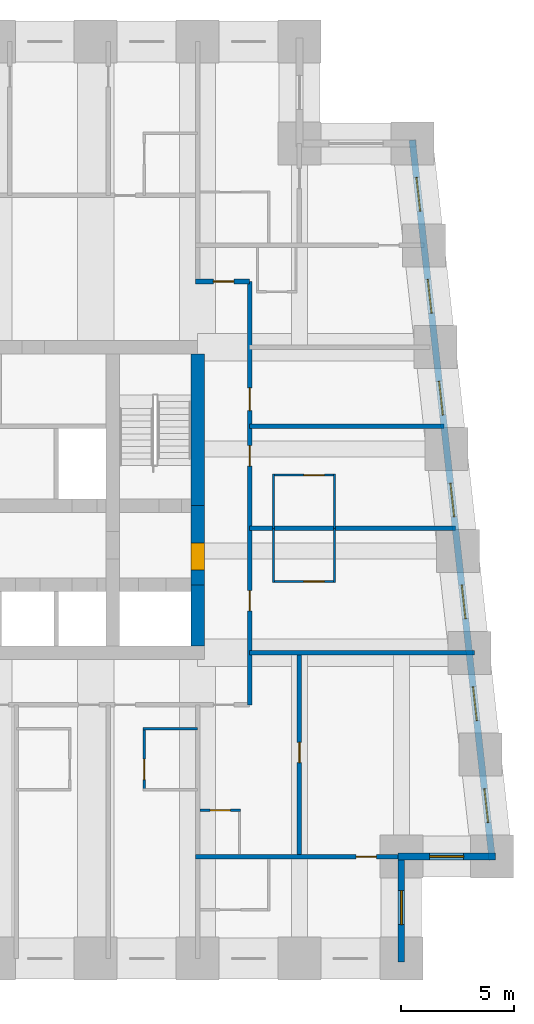
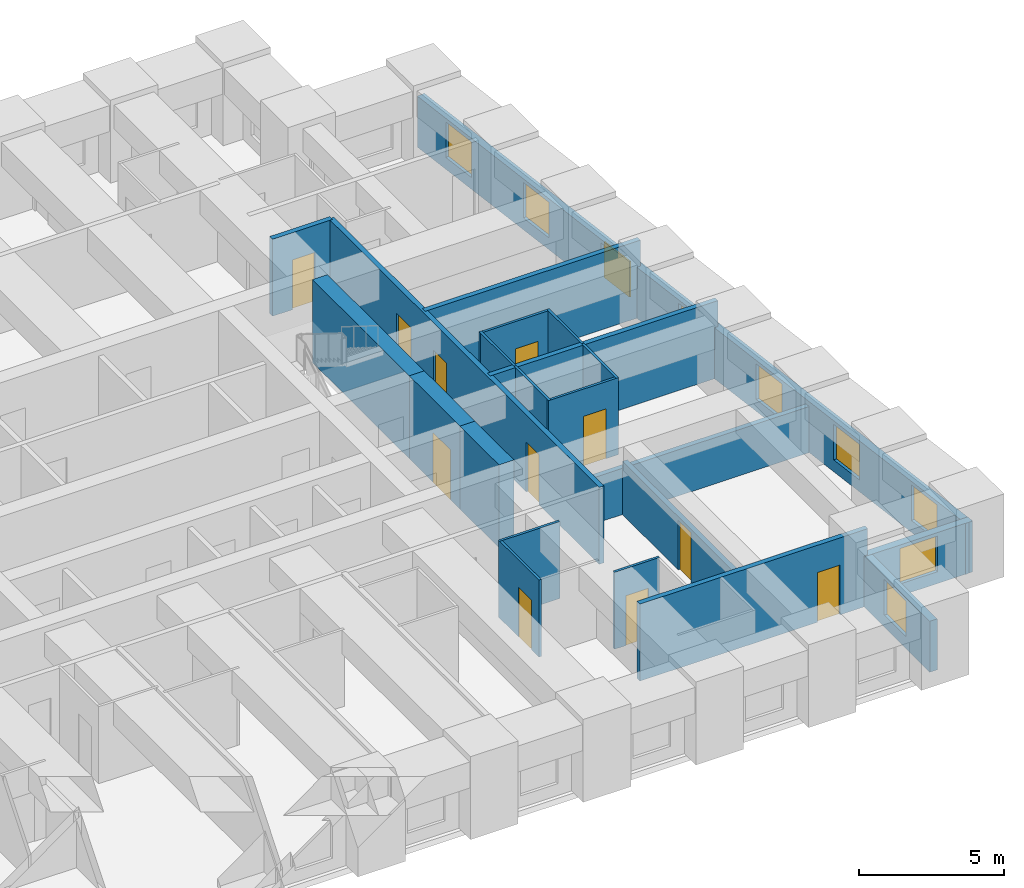
# One storey, part 5 of 8: 22 walls, 11 doors, 9 windows, 20 openings.
"""IFC4 building model written with IfcOpenShell, lengths in metres."""

from ifc_helpers import new_model, si_unit, direction, frame, frame_2d, origin, place, context, subcontext, project, spatial, rectangle, extrude, material, layer, layer_set, type_object, element, fill, save


model = new_model("IFC4")

# Units and contexts
model_context = context("Model", 3, precision=1e-05, world=origin(), true_north=direction((0.0, 1.0)))
body_context = subcontext(model_context, "Body", "Model", "MODEL_VIEW")
ifc_project = project(units=[si_unit("LENGTHUNIT", "METRE"), si_unit("AREAUNIT", "SQUARE_METRE"), si_unit("VOLUMEUNIT", "CUBIC_METRE"), si_unit("PLANEANGLEUNIT", "RADIAN"), si_unit("MASSUNIT", "GRAM", prefix="KILO")], contexts=[model_context])

# Site, building, storey
site_placement = place(None, origin())
site = spatial("IfcSite", under=ifc_project, at=site_placement, CompositionType="ELEMENT")
building_placement = place(site_placement, origin())
building = spatial("IfcBuilding", under=site, at=building_placement, Name="Kilele Tower Hotel", CompositionType="ELEMENT")
storey_placement = place(building_placement, frame((0.0, 0.0, 128.39990234375)))
storey = spatial("IfcBuildingStorey", under=building, at=storey_placement, Name="L33", CompositionType="ELEMENT", Elevation=128.39990234375)

# Wall
ifc_material_1 = material(Name="Moisture-resistant board")
ifc_layer_1 = layer(ifc_material_1, 0.10009765625)
ifc_layer_set_1 = layer_set([ifc_layer_1], Name="Moisture-resistant board")
wall_type_1 = type_object("IfcWallType", Name="Bathroom partition 100", PredefinedType="PLUMBINGWALL", material=ifc_layer_set_1)
wall_1_placement = place(storey_placement, frame((33.60009765625, 10.14990234375, 0.0), z_axis=(0.0, 0.0, 1.0), x_axis=(1.0, 0.0, 0.0)))
element("IfcWall", 1, at=wall_1_placement, inside=storey, type_object=wall_type_1, Name="Bathroom partition 100 L33", PredefinedType="PLUMBINGWALL", context=body_context, shape_type="SweptSolid", body=[
    extrude(rectangle(XDim=2.39990234375, YDim=0.10009765625, at=frame_2d((1.199951171875, 0.0))), origin(), (0.0, 0.0, 1.0), 3.25),
])

# Wall, opening, door
wall_2_placement = place(storey_placement, frame((33.64990234375, 10.199951171875, 0.0), z_axis=(0.0, 0.0, 1.0), x_axis=(0.0, -1.0, 0.0)))
wall_2 = element("IfcWall", 2, at=wall_2_placement, inside=storey, type_object=wall_type_1, Name="Bathroom partition 100 L33", PredefinedType="PLUMBINGWALL", context=body_context, shape_type="SweptSolid", body=[
    extrude(rectangle(XDim=2.800048828125, YDim=0.10009765625, at=frame_2d((1.39990234375, 0.0))), origin(), (0.0, 0.0, 1.0), 3.25),
])
opening_1_placement = place(wall_2_placement, frame((2.2998046875, 0.0, 0.0), z_axis=(0.0, 0.0, 1.0), x_axis=(-1.0, 0.0, 0.0)))
opening_1 = element("IfcOpeningElement", 3, at=opening_1_placement, cuts=wall_2, Name="Opening D2A", PredefinedType="OPENING", context=body_context, shape_type="SweptSolid", body=[
    extrude(rectangle(XDim=0.89990234375, YDim=2.10009765625, at=frame_2d((0.449951171875, 1.050048828125))), frame((0.0, 0.06005859375, 0.0), z_axis=(0.0, -1.0, 0.0), x_axis=(1.0, 0.0, 0.0)), (0.0, 0.0, 1.0), 0.1201171875),
])
ifc_material_2 = material(Name="Timber door leaf in hardwood frame", Category="wood")
door_type_1 = type_object("IfcDoorType", Name="Bathroom door 900", OperationType="SINGLE_SWING_LEFT", PredefinedType="DOOR", material=ifc_material_2)
door_1_placement = place(opening_1_placement, origin())
door_1 = element("IfcDoor", 4, at=door_1_placement, inside=storey, type_object=door_type_1, Name="Bathroom door 3305B", OperationType="SINGLE_SWING_LEFT", OverallHeight=2.10009765625, OverallWidth=0.89990234375, PredefinedType="DOOR", context=body_context, shape_type="SweptSolid", body=[
    extrude(rectangle(XDim=0.89990234375, YDim=2.10009765625, at=frame_2d((0.449951171875, 1.050048828125))), frame((0.0, 0.02490234375, 0.0), z_axis=(0.0, -1.0, 0.0), x_axis=(1.0, 0.0, 0.0)), (0.0, 0.0, 1.0), 0.050048828125),
])
fill(opening_1, door_1)

# Walls
for number, where, z_axis, x_axis, name in (
    (5, (39.35009765625, 16.60009765625, 0.0), (0.0, 0.0, 1.0), (0.0, 1.0, 0.0), "Bathroom partition 100 L33"),
    (6, (42.050048828125, 16.60009765625, 0.0), (0.0, 0.0, 1.0), (0.0, 1.0, 0.0), "Bathroom partition 100 L33"),
):
    element("IfcWall", number, at=place(storey_placement, frame(where, z_axis=z_axis, x_axis=x_axis)), inside=storey, type_object=wall_type_1, Name=name, PredefinedType="PLUMBINGWALL", context=body_context, shape_type="SweptSolid", body=[
        extrude(rectangle(XDim=2.39990234375, YDim=0.10009765625, at=frame_2d((1.199951171875, 0.0))), origin(), (0.0, 0.0, 1.0), 3.25),
    ])

# Wall, opening, door
wall_3_placement = place(storey_placement, frame((39.300048828125, 16.64990234375, 0.0), z_axis=(0.0, 0.0, 1.0), x_axis=(1.0, 0.0, 0.0)))
wall_3 = element("IfcWall", 7, at=wall_3_placement, inside=storey, type_object=wall_type_1, Name="Bathroom partition 100 L33", PredefinedType="PLUMBINGWALL", context=body_context, shape_type="SweptSolid", body=[
    extrude(rectangle(XDim=2.800048828125, YDim=0.10009765625, at=frame_2d((1.39990234375, 0.0))), origin(), (0.0, 0.0, 1.0), 3.25),
])
opening_2_placement = place(wall_3_placement, frame((2.2998046875, 0.0, 0.0), z_axis=(0.0, 0.0, 1.0), x_axis=(-1.0, 0.0, 0.0)))
opening_2 = element("IfcOpeningElement", 8, at=opening_2_placement, cuts=wall_3, Name="Opening D2A", PredefinedType="OPENING", context=body_context, shape_type="SweptSolid", body=[
    extrude(rectangle(XDim=0.89990234375, YDim=2.10009765625, at=frame_2d((0.449951171875, 1.050048828125))), frame((0.0, 0.06005859375, 0.0), z_axis=(0.0, -1.0, 0.0), x_axis=(1.0, 0.0, 0.0)), (0.0, 0.0, 1.0), 0.1201171875),
])
door_2_placement = place(opening_2_placement, origin())
door_2 = element("IfcDoor", 9, at=door_2_placement, inside=storey, type_object=door_type_1, Name="Bathroom door 3306B", OperationType="SINGLE_SWING_LEFT", OverallHeight=2.10009765625, OverallWidth=0.89990234375, PredefinedType="DOOR", context=body_context, shape_type="SweptSolid", body=[
    extrude(rectangle(XDim=0.89990234375, YDim=2.10009765625, at=frame_2d((0.449951171875, 1.050048828125))), frame((0.0, 0.02490234375, 0.0), z_axis=(0.0, -1.0, 0.0), x_axis=(1.0, 0.0, 0.0)), (0.0, 0.0, 1.0), 0.050048828125),
])
fill(opening_2, door_2)

# Walls
for number, where, z_axis, x_axis, name in (
    (10, (39.35009765625, 19.0, 0.0), (0.0, 0.0, 1.0), (0.0, 1.0, 0.0), "Bathroom partition 100 L33"),
    (11, (42.050048828125, 19.0, 0.0), (0.0, 0.0, 1.0), (0.0, 1.0, 0.0), "Bathroom partition 100 L33"),
):
    element("IfcWall", number, at=place(storey_placement, frame(where, z_axis=z_axis, x_axis=x_axis)), inside=storey, type_object=wall_type_1, Name=name, PredefinedType="PLUMBINGWALL", context=body_context, shape_type="SweptSolid", body=[
        extrude(rectangle(XDim=2.39990234375, YDim=0.10009765625, at=frame_2d((1.199951171875, 0.0))), origin(), (0.0, 0.0, 1.0), 3.25),
    ])

# Wall, opening, door
wall_4_placement = place(storey_placement, frame((39.300048828125, 21.35009765625, 0.0), z_axis=(0.0, 0.0, 1.0), x_axis=(1.0, 0.0, 0.0)))
wall_4 = element("IfcWall", 12, at=wall_4_placement, inside=storey, type_object=wall_type_1, Name="Bathroom partition 100 L33", PredefinedType="PLUMBINGWALL", context=body_context, shape_type="SweptSolid", body=[
    extrude(rectangle(XDim=2.800048828125, YDim=0.10009765625, at=frame_2d((1.39990234375, 0.0))), origin(), (0.0, 0.0, 1.0), 3.25),
])
opening_3_placement = place(wall_4_placement, frame((1.39990234375, 0.0, 0.0)))
opening_3 = element("IfcOpeningElement", 13, at=opening_3_placement, cuts=wall_4, Name="Opening D2A", PredefinedType="OPENING", context=body_context, shape_type="SweptSolid", body=[
    extrude(rectangle(XDim=0.89990234375, YDim=2.10009765625, at=frame_2d((0.449951171875, 1.050048828125))), frame((0.0, 0.06005859375, 0.0), z_axis=(0.0, -1.0, 0.0), x_axis=(1.0, 0.0, 0.0)), (0.0, 0.0, 1.0), 0.1201171875),
])
door_3_placement = place(opening_3_placement, origin())
door_3 = element("IfcDoor", 14, at=door_3_placement, inside=storey, type_object=door_type_1, Name="Bathroom door 3307B", OperationType="SINGLE_SWING_RIGHT", OverallHeight=2.10009765625, OverallWidth=0.89990234375, PredefinedType="DOOR", context=body_context, shape_type="SweptSolid", body=[
    extrude(rectangle(XDim=0.89990234375, YDim=2.10009765625, at=frame_2d((0.449951171875, 1.050048828125))), frame((0.0, 0.02490234375, 0.0), z_axis=(0.0, -1.0, 0.0), x_axis=(1.0, 0.0, 0.0)), (0.0, 0.0, 1.0), 0.050048828125),
])
fill(opening_3, door_3)

wall_5_placement = place(storey_placement, frame((36.10009765625, 6.550048828125, 0.0), z_axis=(0.0, 0.0, 1.0), x_axis=(1.0, 0.0, 0.0)))
wall_5 = element("IfcWall", 15, at=wall_5_placement, inside=storey, type_object=wall_type_1, Name="Bathroom partition 100 L33", PredefinedType="PLUMBINGWALL", context=body_context, shape_type="SweptSolid", body=[
    extrude(rectangle(XDim=1.7998046875, YDim=0.10009765625, at=frame_2d((0.89990234375, 0.0))), origin(), (0.0, 0.0, 1.0), 3.25),
])
opening_4_placement = place(wall_5_placement, frame((0.449951171875, 0.0, 0.0)))
opening_4 = element("IfcOpeningElement", 16, at=opening_4_placement, cuts=wall_5, Name="Opening D2A", PredefinedType="OPENING", context=body_context, shape_type="SweptSolid", body=[
    extrude(rectangle(XDim=0.89990234375, YDim=2.10009765625, at=frame_2d((0.449951171875, 1.050048828125))), frame((0.0, 0.06005859375, 0.0), z_axis=(0.0, -1.0, 0.0), x_axis=(1.0, 0.0, 0.0)), (0.0, 0.0, 1.0), 0.1201171875),
])
door_4_placement = place(opening_4_placement, origin())
door_4 = element("IfcDoor", 17, at=door_4_placement, inside=storey, type_object=door_type_1, Name="Bathroom door 3320P", OperationType="SINGLE_SWING_LEFT", OverallHeight=2.10009765625, OverallWidth=0.89990234375, PredefinedType="DOOR", context=body_context, shape_type="SweptSolid", body=[
    extrude(rectangle(XDim=0.89990234375, YDim=2.10009765625, at=frame_2d((0.449951171875, 1.050048828125))), frame((0.0, 0.02490234375, 0.0), z_axis=(0.0, -1.0, 0.0), x_axis=(1.0, 0.0, 0.0)), (0.0, 0.0, 1.0), 0.050048828125),
])
fill(opening_4, door_4)

# Wall
ifc_material_3 = material(Name="Concrete C60/75", Category="concrete")
ifc_layer_2 = layer(ifc_material_3, 0.60009765625)
ifc_layer_set_2 = layer_set([ifc_layer_2], Name="Concrete C60/75")
wall_type_2 = type_object("IfcWallType", Name="Core wall 600 C60/75", PredefinedType="SHEAR", material=ifc_layer_set_2)
wall_6_placement = place(storey_placement, frame((36.0, 13.800048828125, 0.0), z_axis=(0.0, 0.0, 1.0), x_axis=(0.0, 1.0, 0.0)))
element("IfcWall", 18, at=wall_6_placement, inside=storey, type_object=wall_type_2, Name="Core wall E1 L33", PredefinedType="SHEAR", context=body_context, shape_type="SweptSolid", body=[
    extrude(rectangle(XDim=2.699951171875, YDim=0.60009765625, at=frame_2d((1.35009765625, 0.0))), origin(), (0.0, 0.0, 1.0), 3.5),
])

# Wall, opening, door
wall_7_placement = place(storey_placement, frame((36.0, 16.5, 0.0), z_axis=(0.0, 0.0, 1.0), x_axis=(0.0, 1.0, 0.0)))
wall_7 = element("IfcWall", 19, at=wall_7_placement, inside=storey, type_object=wall_type_2, Name="Core wall E2 L33", PredefinedType="SHEAR", context=body_context, shape_type="SweptSolid", body=[
    extrude(rectangle(XDim=3.5, YDim=0.60009765625, at=frame_2d((1.75, 0.0))), origin(), (0.0, 0.0, 1.0), 3.5),
])
opening_5_placement = place(wall_7_placement, frame((0.64990234375, 0.0, 0.0)))
opening_5 = element("IfcOpeningElement", 20, at=opening_5_placement, cuts=wall_7, Name="Opening D4", PredefinedType="OPENING", context=body_context, shape_type="SweptSolid", body=[
    extrude(rectangle(XDim=1.199951171875, YDim=2.10009765625, at=frame_2d((0.60009765625, 1.050048828125))), frame((0.0, 0.31005859375, 0.0), z_axis=(0.0, -1.0, 0.0), x_axis=(1.0, 0.0, 0.0)), (0.0, 0.0, 1.0), 0.6201171875),
])
ifc_material_4 = material(Name="Timber door leaf in hardwood frame", Category="wood")
door_type_2 = type_object("IfcDoorType", Name="Firefighting lobby door 1200", OperationType="SINGLE_SWING_LEFT", PredefinedType="DOOR", material=ifc_material_4)
door_5_placement = place(opening_5_placement, origin())
door_5 = element("IfcDoor", 21, at=door_5_placement, inside=storey, type_object=door_type_2, Name="Lobby door L33", OperationType="SINGLE_SWING_LEFT", OverallHeight=2.10009765625, OverallWidth=1.199951171875, PredefinedType="DOOR", context=body_context, shape_type="SweptSolid", body=[
    extrude(rectangle(XDim=1.199951171875, YDim=2.10009765625, at=frame_2d((0.60009765625, 1.050048828125))), frame((0.0, 0.2998046875, 0.0), z_axis=(0.0, -1.0, 0.0), x_axis=(1.0, 0.0, 0.0)), (0.0, 0.0, 1.0), 0.599609375),
])
fill(opening_5, door_5)

# Wall
wall_8_placement = place(storey_placement, frame((36.0, 20.0, 0.0), z_axis=(0.0, 0.0, 1.0), x_axis=(0.0, 1.0, 0.0)))
element("IfcWall", 22, at=wall_8_placement, inside=storey, type_object=wall_type_2, Name="Core wall E3 L33", PredefinedType="SHEAR", context=body_context, shape_type="SweptSolid", body=[
    extrude(rectangle(XDim=6.699951171875, YDim=0.60009765625, at=frame_2d((3.35009765625, 0.0))), origin(), (0.0, 0.0, 1.0), 3.5),
])

# Wall, opening, door
ifc_material_5 = material(Name="Blockwork, plastered both sides", Category="masonry")
ifc_layer_3 = layer(ifc_material_5, 0.199951171875)
ifc_layer_set_3 = layer_set([ifc_layer_3], Name="Blockwork, plastered both sides")
wall_type_3 = type_object("IfcWallType", Name="Corridor wall 200", PredefinedType="PARTITIONING", material=ifc_layer_set_3)
wall_9_placement = place(storey_placement, frame((35.89990234375, 29.89990234375, 0.0), z_axis=(0.0, 0.0, 1.0), x_axis=(1.0, 0.0, 0.0)))
wall_9 = element("IfcWall", 23, at=wall_9_placement, inside=storey, type_object=wall_type_3, Name="Corridor wall 200 L33", PredefinedType="PARTITIONING", context=body_context, shape_type="SweptSolid", body=[
    extrude(rectangle(XDim=2.400146484375, YDim=0.199951171875, at=frame_2d((1.2001953125, 0.0))), origin(), (0.0, 0.0, 1.0), 3.25),
])
opening_6_placement = place(wall_9_placement, frame((0.800048828125, 0.0, 0.0)))
opening_6 = element("IfcOpeningElement", 24, at=opening_6_placement, cuts=wall_9, Name="Opening D1", PredefinedType="OPENING", context=body_context, shape_type="SweptSolid", body=[
    extrude(rectangle(XDim=0.89990234375, YDim=2.10009765625, at=frame_2d((0.449951171875, 1.050048828125))), frame((0.0, 0.10986328125, 0.0), z_axis=(0.0, -1.0, 0.0), x_axis=(1.0, 0.0, 0.0)), (0.0, 0.0, 1.0), 0.219970703125),
])
ifc_material_6 = material(Name="Timber door leaf in hardwood frame", Category="wood")
door_type_3 = type_object("IfcDoorType", Name="Guest room entrance door 900", OperationType="SINGLE_SWING_LEFT", PredefinedType="DOOR", material=ifc_material_6)
door_6_placement = place(opening_6_placement, origin())
door_6 = element("IfcDoor", 25, at=door_6_placement, inside=storey, type_object=door_type_3, Name="Room entrance 3323", OperationType="SINGLE_SWING_LEFT", OverallHeight=2.10009765625, OverallWidth=0.89990234375, PredefinedType="DOOR", context=body_context, shape_type="SweptSolid", body=[
    extrude(rectangle(XDim=0.89990234375, YDim=2.10009765625, at=frame_2d((0.449951171875, 1.050048828125))), frame((0.0, 0.02490234375, 0.0), z_axis=(0.0, -1.0, 0.0), x_axis=(1.0, 0.0, 0.0)), (0.0, 0.0, 1.0), 0.050048828125),
])
fill(opening_6, door_6)

# Wall, openings, doors
wall_10_placement = place(storey_placement, frame((38.300048828125, 11.199951171875, 0.0), z_axis=(0.0, 0.0, 1.0), x_axis=(0.0, 1.0, 0.0)))
wall_10 = element("IfcWall", 26, at=wall_10_placement, inside=storey, type_object=wall_type_3, Name="Corridor wall 200 L33", PredefinedType="PARTITIONING", context=body_context, shape_type="SweptSolid", body=[
    extrude(rectangle(XDim=18.699951171875, YDim=0.199951171875, at=frame_2d((9.35009765625, 0.0))), origin(), (0.0, 0.0, 1.0), 3.25),
])
opening_7_placement = place(wall_10_placement, frame((5.0498046875, 0.0, 0.0), z_axis=(0.0, 0.0, 1.0), x_axis=(-1.0, 0.0, 0.0)))
opening_7 = element("IfcOpeningElement", 27, at=opening_7_placement, cuts=wall_10, Name="Opening D1", PredefinedType="OPENING", context=body_context, shape_type="SweptSolid", body=[
    extrude(rectangle(XDim=0.89990234375, YDim=2.10009765625, at=frame_2d((0.449951171875, 1.050048828125))), frame((0.0, 0.10986328125, 0.0), z_axis=(0.0, -1.0, 0.0), x_axis=(1.0, 0.0, 0.0)), (0.0, 0.0, 1.0), 0.219970703125),
])
opening_8_placement = place(wall_10_placement, frame((11.449951171875, 0.0, 0.0), z_axis=(0.0, 0.0, 1.0), x_axis=(-1.0, 0.0, 0.0)))
opening_8 = element("IfcOpeningElement", 28, at=opening_8_placement, cuts=wall_10, Name="Opening D1", PredefinedType="OPENING", context=body_context, shape_type="SweptSolid", body=[
    extrude(rectangle(XDim=0.89990234375, YDim=2.10009765625, at=frame_2d((0.449951171875, 1.050048828125))), frame((0.0, 0.10986328125, 0.0), z_axis=(0.0, -1.0, 0.0), x_axis=(1.0, 0.0, 0.0)), (0.0, 0.0, 1.0), 0.219970703125),
])
opening_9_placement = place(wall_10_placement, frame((14.0, 0.0, 0.0), z_axis=(0.0, 0.0, 1.0), x_axis=(-1.0, 0.0, 0.0)))
opening_9 = element("IfcOpeningElement", 29, at=opening_9_placement, cuts=wall_10, Name="Opening D8", PredefinedType="OPENING", context=body_context, shape_type="SweptSolid", body=[
    extrude(rectangle(XDim=1.0, YDim=2.10009765625, at=frame_2d((0.5, 1.050048828125))), frame((0.0, 0.10986328125, 0.0), z_axis=(0.0, -1.0, 0.0), x_axis=(1.0, 0.0, 0.0)), (0.0, 0.0, 1.0), 0.219970703125),
])
ifc_material_7 = material(Name="Timber door leaf in hardwood frame", Category="wood")
door_type_4 = type_object("IfcDoorType", Name="Door 1000", OperationType="SINGLE_SWING_LEFT", PredefinedType="DOOR", material=ifc_material_7)
door_7_placement = place(opening_9_placement, origin())
door_7 = element("IfcDoor", 30, at=door_7_placement, inside=storey, type_object=door_type_4, Name="Room entrance 3308", OperationType="SINGLE_SWING_RIGHT", OverallHeight=2.10009765625, OverallWidth=1.0, PredefinedType="DOOR", context=body_context, shape_type="SweptSolid", body=[
    extrude(rectangle(XDim=1.0, YDim=2.10009765625, at=frame_2d((0.5, 1.050048828125))), frame((0.0, 0.02490234375, 0.0), z_axis=(0.0, -1.0, 0.0), x_axis=(1.0, 0.0, 0.0)), (0.0, 0.0, 1.0), 0.050048828125),
])
fill(opening_9, door_7)
door_8_placement = place(opening_7_placement, origin())
door_8 = element("IfcDoor", 31, at=door_8_placement, inside=storey, type_object=door_type_3, Name="Room entrance 3306", OperationType="SINGLE_SWING_LEFT", OverallHeight=2.10009765625, OverallWidth=0.89990234375, PredefinedType="DOOR", context=body_context, shape_type="SweptSolid", body=[
    extrude(rectangle(XDim=0.89990234375, YDim=2.10009765625, at=frame_2d((0.449951171875, 1.050048828125))), frame((0.0, 0.02490234375, 0.0), z_axis=(0.0, -1.0, 0.0), x_axis=(1.0, 0.0, 0.0)), (0.0, 0.0, 1.0), 0.050048828125),
])
fill(opening_7, door_8)
door_9_placement = place(opening_8_placement, origin())
door_9 = element("IfcDoor", 32, at=door_9_placement, inside=storey, type_object=door_type_3, Name="Room entrance 3307", OperationType="SINGLE_SWING_RIGHT", OverallHeight=2.10009765625, OverallWidth=0.89990234375, PredefinedType="DOOR", context=body_context, shape_type="SweptSolid", body=[
    extrude(rectangle(XDim=0.89990234375, YDim=2.10009765625, at=frame_2d((0.449951171875, 1.050048828125))), frame((0.0, 0.02490234375, 0.0), z_axis=(0.0, -1.0, 0.0), x_axis=(1.0, 0.0, 0.0)), (0.0, 0.0, 1.0), 0.050048828125),
])
fill(opening_8, door_9)

# Wall, opening, door
ifc_material_8 = material(Name="Blockwork, plastered both sides", Category="masonry")
ifc_layer_4 = layer(ifc_material_8, 0.199951171875)
ifc_layer_set_4 = layer_set([ifc_layer_4], Name="Blockwork, plastered both sides")
wall_type_4 = type_object("IfcWallType", Name="Partition wall 200", PredefinedType="PARTITIONING", material=ifc_layer_set_4)
wall_11_placement = place(storey_placement, frame((40.5, 4.60009765625, 0.0), z_axis=(0.0, 0.0, 1.0), x_axis=(0.0, 1.0, 0.0)))
wall_11 = element("IfcWall", 33, at=wall_11_placement, inside=storey, type_object=wall_type_4, Name="Partition wall 200 L33", PredefinedType="PARTITIONING", context=body_context, shape_type="SweptSolid", body=[
    extrude(rectangle(XDim=8.7998046875, YDim=0.199951171875, at=frame_2d((4.39990234375, 0.0))), origin(), (0.0, 0.0, 1.0), 2.25),
])
opening_10_placement = place(wall_11_placement, frame((4.050048828125, 0.0, 0.0)))
opening_10 = element("IfcOpeningElement", 34, at=opening_10_placement, cuts=wall_11, Name="Opening D3", PredefinedType="OPENING", context=body_context, shape_type="SweptSolid", body=[
    extrude(rectangle(XDim=0.89990234375, YDim=2.10009765625, at=frame_2d((0.449951171875, 1.050048828125))), frame((0.0, 0.10986328125, 0.0), z_axis=(0.0, -1.0, 0.0), x_axis=(1.0, 0.0, 0.0)), (0.0, 0.0, 1.0), 0.219970703125),
])
ifc_material_9 = material(Name="Timber door leaf in hardwood frame", Category="wood")
door_type_5 = type_object("IfcDoorType", Name="Suite internal door 900", OperationType="SINGLE_SWING_LEFT", PredefinedType="DOOR", material=ifc_material_9)
door_10_placement = place(opening_10_placement, origin())
door_10 = element("IfcDoor", 35, at=door_10_placement, inside=storey, type_object=door_type_5, Name="Suite door 3321", OperationType="SINGLE_SWING_RIGHT", OverallHeight=2.10009765625, OverallWidth=0.89990234375, PredefinedType="DOOR", context=body_context, shape_type="SweptSolid", body=[
    extrude(rectangle(XDim=0.89990234375, YDim=2.10009765625, at=frame_2d((0.449951171875, 1.050048828125))), frame((0.0, 0.02490234375, 0.0), z_axis=(0.0, -1.0, 0.0), x_axis=(1.0, 0.0, 0.0)), (0.0, 0.0, 1.0), 0.050048828125),
])
fill(opening_10, door_10)

# Walls
ifc_material_10 = material(Name="Blockwork, plastered both sides", Category="masonry")
ifc_layer_5 = layer(ifc_material_10, 0.199951171875)
ifc_layer_set_5 = layer_set([ifc_layer_5], Name="Blockwork, plastered both sides")
wall_type_5 = type_object("IfcWallType", Name="Party wall 200", PredefinedType="PARTITIONING", material=ifc_layer_set_5)
wall_12_placement = place(storey_placement, frame((38.300048828125, 19.0, 0.0), z_axis=(0.0, 0.0, 1.0), x_axis=(1.0, 0.0, 0.0)))
element("IfcWall", 36, at=wall_12_placement, inside=storey, type_object=wall_type_5, Name="Party wall 200 L33", PredefinedType="PARTITIONING", context=body_context, shape_type="SweptSolid", body=[
    extrude(rectangle(XDim=9.087890625, YDim=0.199951171875, at=frame_2d((4.5439453125, 0.0))), origin(), (0.0, 0.0, 1.0), 3.25),
])
wall_13_placement = place(storey_placement, frame((38.300048828125, 23.5, 0.0), z_axis=(0.0, 0.0, 1.0), x_axis=(1.0, 0.0, 0.0)))
element("IfcWall", 37, at=wall_13_placement, inside=storey, type_object=wall_type_5, Name="Party wall 200 L33", PredefinedType="PARTITIONING", context=body_context, shape_type="SweptSolid", body=[
    extrude(rectangle(XDim=8.587890625, YDim=0.199951171875, at=frame_2d((4.2939453125, 0.0))), origin(), (0.0, 0.0, 1.0), 3.25),
])
wall_14_placement = place(storey_placement, frame((38.300048828125, 13.5, 0.0), z_axis=(0.0, 0.0, 1.0), x_axis=(1.0, 0.0, 0.0)))
element("IfcWall", 38, at=wall_14_placement, inside=storey, type_object=wall_type_5, Name="Party wall 200 L33", PredefinedType="PARTITIONING", context=body_context, shape_type="SweptSolid", body=[
    extrude(rectangle(XDim=9.921142578125, YDim=0.199951171875, at=frame_2d((4.96044921875, 0.0))), origin(), (0.0, 0.0, 1.0), 1.9501953125),
])

# Wall, opening, door
wall_15_placement = place(storey_placement, frame((35.89990234375, 4.5, 0.0), z_axis=(0.0, 0.0, 1.0), x_axis=(1.0, 0.0, 0.0)))
wall_15 = element("IfcWall", 39, at=wall_15_placement, inside=storey, type_object=wall_type_5, Name="Party wall 200 L33", PredefinedType="PARTITIONING", context=body_context, shape_type="SweptSolid", body=[
    extrude(rectangle(XDim=9.10009765625, YDim=0.199951171875, at=frame_2d((4.550048828125, 0.0))), origin(), (0.0, 0.0, 1.0), 3.25),
])
opening_11_placement = place(wall_15_placement, frame((7.10009765625, 0.0, 0.0)))
opening_11 = element("IfcOpeningElement", 40, at=opening_11_placement, cuts=wall_15, Name="Opening D3", PredefinedType="OPENING", context=body_context, shape_type="SweptSolid", body=[
    extrude(rectangle(XDim=0.89990234375, YDim=2.10009765625, at=frame_2d((0.449951171875, 1.050048828125))), frame((0.0, 0.10986328125, 0.0), z_axis=(0.0, -1.0, 0.0), x_axis=(1.0, 0.0, 0.0)), (0.0, 0.0, 1.0), 0.219970703125),
])
door_11_placement = place(opening_11_placement, origin())
door_11 = element("IfcDoor", 41, at=door_11_placement, inside=storey, type_object=door_type_5, Name="Suite door 3322", OperationType="SINGLE_SWING_RIGHT", OverallHeight=2.10009765625, OverallWidth=0.89990234375, PredefinedType="DOOR", context=body_context, shape_type="SweptSolid", body=[
    extrude(rectangle(XDim=0.89990234375, YDim=2.10009765625, at=frame_2d((0.449951171875, 1.050048828125))), frame((0.0, 0.02490234375, 0.0), z_axis=(0.0, -1.0, 0.0), x_axis=(1.0, 0.0, 0.0)), (0.0, 0.0, 1.0), 0.050048828125),
])
fill(opening_11, door_11)

# Wall, opening, window
ifc_material_11 = material(Name="Concrete C40/50 precast", Category="concrete")
ifc_layer_6 = layer(ifc_material_11, 0.260009765625, Name="Precast backing", Category="LoadBearing")
ifc_material_12 = material(Name="Reconstituted stone finish", Category="masonry")
ifc_layer_7 = layer(ifc_material_12, 0.0400390625, Name="Face mix", Category="Finish")
ifc_layer_set_6 = layer_set([ifc_layer_6, ifc_layer_7], Name="Precast concrete C40/50, reconstituted stone finish")
wall_type_6 = type_object("IfcWallType", Name="Precast stone facade wall 300", PredefinedType="STANDARD", material=ifc_layer_set_6)
wall_16_placement = place(storey_placement, frame((45.0, -0.14990234375, 0.0), z_axis=(0.0, 0.0, 1.0), x_axis=(0.0, 1.0, 0.0)))
wall_16 = element("IfcWall", 42, at=wall_16_placement, inside=storey, type_object=wall_type_6, Name="Facade wall L33 edge 4", PredefinedType="STANDARD", context=body_context, shape_type="SweptSolid", body=[
    extrude(rectangle(XDim=4.7998046875, YDim=0.300048828125, at=frame_2d((2.39990234375, 0.0))), origin(), (0.0, 0.0, 1.0), 2.150146484375),
])
opening_12_placement = place(wall_16_placement, frame((1.64990234375, 0.0, 0.5)))
opening_12 = element("IfcOpeningElement", 43, at=opening_12_placement, cuts=wall_16, Name="Opening W2", PredefinedType="OPENING", context=body_context, shape_type="SweptSolid", body=[
    extrude(rectangle(XDim=1.5, YDim=1.5, at=frame_2d((0.75, 0.75))), frame((0.0, 0.159912109375, 0.0), z_axis=(0.0, -1.0, 0.0), x_axis=(1.0, 0.0, 0.0)), (0.0, 0.0, 1.0), 0.320068359375),
])
ifc_material_13 = material(Name="Aluminium frame, clear double glazing", Category="aluminium")
window_type = type_object("IfcWindowType", Name="Window W2 1500 x 1500", PartitioningType="SINGLE_PANEL", PredefinedType="WINDOW", material=ifc_material_13)
window_1_placement = place(opening_12_placement, origin())
window_1 = element("IfcWindow", 44, at=window_1_placement, inside=storey, type_object=window_type, Name="Window L33", OverallHeight=1.5, OverallWidth=1.5, PartitioningType="SINGLE_PANEL", PredefinedType="WINDOW", context=body_context, shape_type="SweptSolid", body=[
    extrude(rectangle(XDim=1.5, YDim=1.5, at=frame_2d((0.75, 0.75))), frame((0.0, 0.030029296875, 0.0), z_axis=(0.0, -1.0, 0.0), x_axis=(1.0, 0.0, 0.0)), (0.0, 0.0, 1.0), 0.06005859375),
])
fill(opening_12, window_1)

wall_17_placement = place(storey_placement, frame((44.85009765625, 4.5, 0.0), z_axis=(0.0, 0.0, 1.0), x_axis=(1.0, 0.0, 0.0)))
wall_17 = element("IfcWall", 45, at=wall_17_placement, inside=storey, type_object=wall_type_6, Name="Facade wall L33 edge 5", PredefinedType="STANDARD", context=body_context, shape_type="SweptSolid", body=[
    extrude(rectangle(XDim=4.2998046875, YDim=0.300048828125, at=frame_2d((2.14990234375, 0.0))), origin(), (0.0, 0.0, 1.0), 2.150146484375),
])
opening_13_placement = place(wall_17_placement, frame((1.39990234375, 0.0, 0.5)))
opening_13 = element("IfcOpeningElement", 46, at=opening_13_placement, cuts=wall_17, Name="Opening W2", PredefinedType="OPENING", context=body_context, shape_type="SweptSolid", body=[
    extrude(rectangle(XDim=1.5, YDim=1.5, at=frame_2d((0.75, 0.75))), frame((0.0, 0.159912109375, 0.0), z_axis=(0.0, -1.0, 0.0), x_axis=(1.0, 0.0, 0.0)), (0.0, 0.0, 1.0), 0.320068359375),
])
window_2_placement = place(opening_13_placement, origin())
window_2 = element("IfcWindow", 47, at=window_2_placement, inside=storey, type_object=window_type, Name="Window L33", OverallHeight=1.5, OverallWidth=1.5, PartitioningType="SINGLE_PANEL", PredefinedType="WINDOW", context=body_context, shape_type="SweptSolid", body=[
    extrude(rectangle(XDim=1.5, YDim=1.5, at=frame_2d((0.75, 0.75))), frame((0.0, 0.030029296875, 0.0), z_axis=(0.0, -1.0, 0.0), x_axis=(1.0, 0.0, 0.0)), (0.0, 0.0, 1.0), 0.06005859375),
])
fill(opening_13, window_2)

# Wall, openings, windows
wall_18_placement = place(storey_placement, frame((49.0166015625, 4.350830078125, 0.0), z_axis=(0.0, 0.0, 1.0), x_axis=(-0.110433201132, 0.993883548555, 0.0)))
wall_18 = element("IfcWall", 48, at=wall_18_placement, inside=storey, type_object=wall_type_6, Name="Facade wall L33 edge 6", PredefinedType="STANDARD", context=body_context, shape_type="SweptSolid", body=[
    extrude(rectangle(XDim=31.994140625, YDim=0.300048828125, at=frame_2d((15.9970703125, 0.0))), origin(), (0.0, 0.0, 1.0), 2.150146484375),
])
opening_14_placement = place(wall_18_placement, frame((1.6640625, 0.0, 0.5)))
opening_14 = element("IfcOpeningElement", 49, at=opening_14_placement, cuts=wall_18, Name="Opening W2", PredefinedType="OPENING", context=body_context, shape_type="SweptSolid", body=[
    extrude(rectangle(XDim=1.5, YDim=1.5, at=frame_2d((0.75, 0.75))), frame((0.0, 0.159912109375, 0.0), z_axis=(0.0, -1.0, 0.0), x_axis=(1.0, 0.0, 0.0)), (0.0, 0.0, 1.0), 0.320068359375),
])
opening_15_placement = place(wall_18_placement, frame((6.19189453125, 0.0, 0.5)))
opening_15 = element("IfcOpeningElement", 50, at=opening_15_placement, cuts=wall_18, Name="Opening W2", PredefinedType="OPENING", context=body_context, shape_type="SweptSolid", body=[
    extrude(rectangle(XDim=1.5, YDim=1.5, at=frame_2d((0.75, 0.75))), frame((0.0, 0.159912109375, 0.0), z_axis=(0.0, -1.0, 0.0), x_axis=(1.0, 0.0, 0.0)), (0.0, 0.0, 1.0), 0.320068359375),
])
opening_16_placement = place(wall_18_placement, frame((10.718994140625, 0.0, 0.5)))
opening_16 = element("IfcOpeningElement", 51, at=opening_16_placement, cuts=wall_18, Name="Opening W2", PredefinedType="OPENING", context=body_context, shape_type="SweptSolid", body=[
    extrude(rectangle(XDim=1.5, YDim=1.5, at=frame_2d((0.75, 0.75))), frame((0.0, 0.159912109375, 0.0), z_axis=(0.0, -1.0, 0.0), x_axis=(1.0, 0.0, 0.0)), (0.0, 0.0, 1.0), 0.320068359375),
])
opening_17_placement = place(wall_18_placement, frame((15.2470703125, 0.0, 0.5)))
opening_17 = element("IfcOpeningElement", 52, at=opening_17_placement, cuts=wall_18, Name="Opening W2", PredefinedType="OPENING", context=body_context, shape_type="SweptSolid", body=[
    extrude(rectangle(XDim=1.5, YDim=1.5, at=frame_2d((0.75, 0.75))), frame((0.0, 0.159912109375, 0.0), z_axis=(0.0, -1.0, 0.0), x_axis=(1.0, 0.0, 0.0)), (0.0, 0.0, 1.0), 0.320068359375),
])
opening_18_placement = place(wall_18_placement, frame((19.77490234375, 0.0, 0.5)))
opening_18 = element("IfcOpeningElement", 53, at=opening_18_placement, cuts=wall_18, Name="Opening W2", PredefinedType="OPENING", context=body_context, shape_type="SweptSolid", body=[
    extrude(rectangle(XDim=1.5, YDim=1.5, at=frame_2d((0.75, 0.75))), frame((0.0, 0.159912109375, 0.0), z_axis=(0.0, -1.0, 0.0), x_axis=(1.0, 0.0, 0.0)), (0.0, 0.0, 1.0), 0.320068359375),
])
opening_19_placement = place(wall_18_placement, frame((24.302001953125, 0.0, 0.5)))
opening_19 = element("IfcOpeningElement", 54, at=opening_19_placement, cuts=wall_18, Name="Opening W2", PredefinedType="OPENING", context=body_context, shape_type="SweptSolid", body=[
    extrude(rectangle(XDim=1.5, YDim=1.5, at=frame_2d((0.75, 0.75))), frame((0.0, 0.159912109375, 0.0), z_axis=(0.0, -1.0, 0.0), x_axis=(1.0, 0.0, 0.0)), (0.0, 0.0, 1.0), 0.320068359375),
])
opening_20_placement = place(wall_18_placement, frame((28.830078125, 0.0, 0.5)))
opening_20 = element("IfcOpeningElement", 55, at=opening_20_placement, cuts=wall_18, Name="Opening W2", PredefinedType="OPENING", context=body_context, shape_type="SweptSolid", body=[
    extrude(rectangle(XDim=1.5, YDim=1.5, at=frame_2d((0.75, 0.75))), frame((0.0, 0.159912109375, 0.0), z_axis=(0.0, -1.0, 0.0), x_axis=(1.0, 0.0, 0.0)), (0.0, 0.0, 1.0), 0.320068359375),
])
window_3_placement = place(opening_14_placement, origin())
window_3 = element("IfcWindow", 56, at=window_3_placement, inside=storey, type_object=window_type, Name="Window L33", OverallHeight=1.5, OverallWidth=1.5, PartitioningType="SINGLE_PANEL", PredefinedType="WINDOW", context=body_context, shape_type="SweptSolid", body=[
    extrude(rectangle(XDim=1.5, YDim=1.5, at=frame_2d((0.75, 0.75))), frame((0.0, 0.030029296875, 0.0), z_axis=(0.0, -1.0, 0.0), x_axis=(1.0, 0.0, 0.0)), (0.0, 0.0, 1.0), 0.06005859375),
])
fill(opening_14, window_3)
window_4_placement = place(opening_15_placement, origin())
window_4 = element("IfcWindow", 57, at=window_4_placement, inside=storey, type_object=window_type, Name="Window L33", OverallHeight=1.5, OverallWidth=1.5, PartitioningType="SINGLE_PANEL", PredefinedType="WINDOW", context=body_context, shape_type="SweptSolid", body=[
    extrude(rectangle(XDim=1.5, YDim=1.5, at=frame_2d((0.75, 0.75))), frame((0.0, 0.030029296875, 0.0), z_axis=(0.0, -1.0, 0.0), x_axis=(1.0, 0.0, 0.0)), (0.0, 0.0, 1.0), 0.06005859375),
])
fill(opening_15, window_4)
window_5_placement = place(opening_16_placement, origin())
window_5 = element("IfcWindow", 58, at=window_5_placement, inside=storey, type_object=window_type, Name="Window L33", OverallHeight=1.5, OverallWidth=1.5, PartitioningType="SINGLE_PANEL", PredefinedType="WINDOW", context=body_context, shape_type="SweptSolid", body=[
    extrude(rectangle(XDim=1.5, YDim=1.5, at=frame_2d((0.75, 0.75))), frame((0.0, 0.030029296875, 0.0), z_axis=(0.0, -1.0, 0.0), x_axis=(1.0, 0.0, 0.0)), (0.0, 0.0, 1.0), 0.06005859375),
])
fill(opening_16, window_5)
window_6_placement = place(opening_17_placement, origin())
window_6 = element("IfcWindow", 59, at=window_6_placement, inside=storey, type_object=window_type, Name="Window L33", OverallHeight=1.5, OverallWidth=1.5, PartitioningType="SINGLE_PANEL", PredefinedType="WINDOW", context=body_context, shape_type="SweptSolid", body=[
    extrude(rectangle(XDim=1.5, YDim=1.5, at=frame_2d((0.75, 0.75))), frame((0.0, 0.030029296875, 0.0), z_axis=(0.0, -1.0, 0.0), x_axis=(1.0, 0.0, 0.0)), (0.0, 0.0, 1.0), 0.06005859375),
])
fill(opening_17, window_6)
window_7_placement = place(opening_18_placement, origin())
window_7 = element("IfcWindow", 60, at=window_7_placement, inside=storey, type_object=window_type, Name="Window L33", OverallHeight=1.5, OverallWidth=1.5, PartitioningType="SINGLE_PANEL", PredefinedType="WINDOW", context=body_context, shape_type="SweptSolid", body=[
    extrude(rectangle(XDim=1.5, YDim=1.5, at=frame_2d((0.75, 0.75))), frame((0.0, 0.030029296875, 0.0), z_axis=(0.0, -1.0, 0.0), x_axis=(1.0, 0.0, 0.0)), (0.0, 0.0, 1.0), 0.06005859375),
])
fill(opening_18, window_7)
window_8_placement = place(opening_19_placement, origin())
window_8 = element("IfcWindow", 61, at=window_8_placement, inside=storey, type_object=window_type, Name="Window L33", OverallHeight=1.5, OverallWidth=1.5, PartitioningType="SINGLE_PANEL", PredefinedType="WINDOW", context=body_context, shape_type="SweptSolid", body=[
    extrude(rectangle(XDim=1.5, YDim=1.5, at=frame_2d((0.75, 0.75))), frame((0.0, 0.030029296875, 0.0), z_axis=(0.0, -1.0, 0.0), x_axis=(1.0, 0.0, 0.0)), (0.0, 0.0, 1.0), 0.06005859375),
])
fill(opening_19, window_8)
window_9_placement = place(opening_20_placement, origin())
window_9 = element("IfcWindow", 62, at=window_9_placement, inside=storey, type_object=window_type, Name="Window L33", OverallHeight=1.5, OverallWidth=1.5, PartitioningType="SINGLE_PANEL", PredefinedType="WINDOW", context=body_context, shape_type="SweptSolid", body=[
    extrude(rectangle(XDim=1.5, YDim=1.5, at=frame_2d((0.75, 0.75))), frame((0.0, 0.030029296875, 0.0), z_axis=(0.0, -1.0, 0.0), x_axis=(1.0, 0.0, 0.0)), (0.0, 0.0, 1.0), 0.06005859375),
])
fill(opening_20, window_9)

save(model, "model.ifc")
